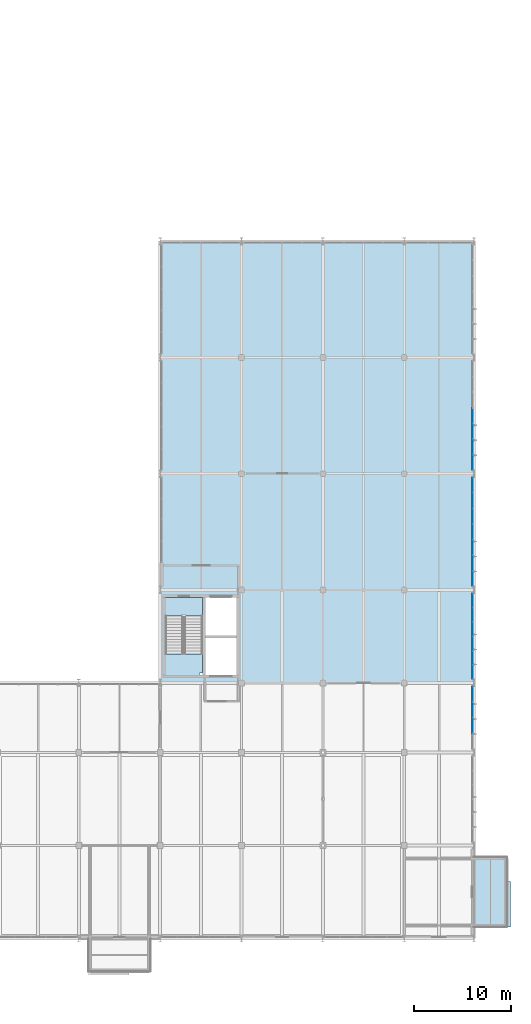
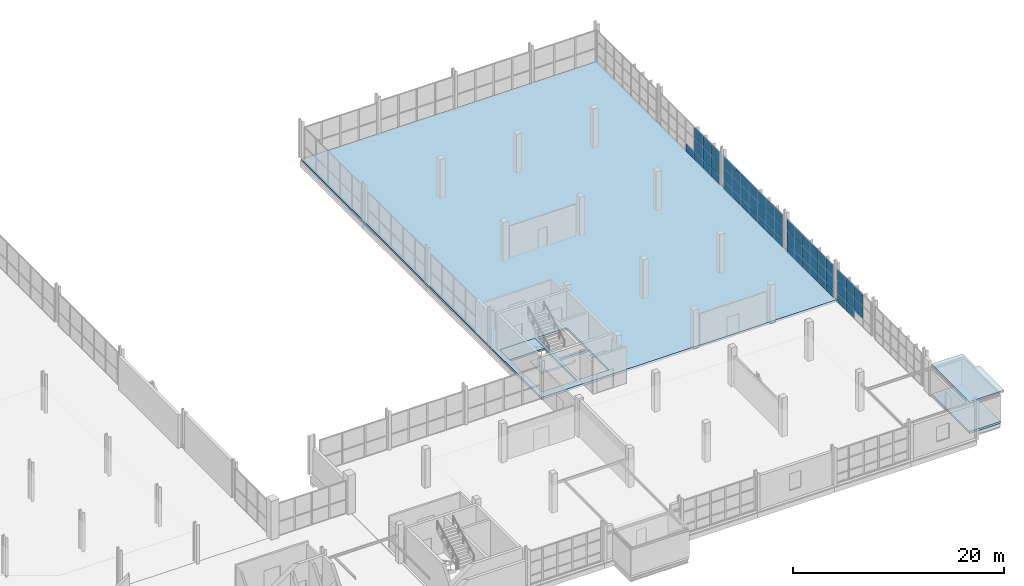
# One storey, part 92 of 113: 57 plates, 5 slabs, 5 elements without a shape of their own.
"""IFC4 building model written with IfcOpenShell, lengths in metres."""

from ifc_helpers import new_model, si_unit, direction, frame, origin, origin_2d, place, context, subcontext, project, spatial, polyline, rectangle, outline, extrude, material, layer, layer_set, type_object, element, aggregate, save


model = new_model("IFC4")

# Units and contexts
model_context = context("Model", 3, precision=1e-05, world=origin(), true_north=direction((0.0, 1.0)))
body_context = subcontext(model_context, "Body", "Model", "MODEL_VIEW")
ifc_project = project(units=[si_unit("LENGTHUNIT", "METRE"), si_unit("AREAUNIT", "SQUARE_METRE"), si_unit("VOLUMEUNIT", "CUBIC_METRE"), si_unit("PLANEANGLEUNIT", "RADIAN"), si_unit("MASSUNIT", "GRAM", prefix="KILO")], contexts=[model_context])

# Site, building, storey
site_placement = place(None, origin())
site = spatial("IfcSite", under=ifc_project, at=site_placement, CompositionType="ELEMENT")
building_placement = place(site_placement, origin())
building = spatial("IfcBuilding", under=site, at=building_placement, Name="Veltarok Museum of Natural Sciences", CompositionType="ELEMENT")
storey_placement = place(building_placement, frame((0.0, 0.0, 8.39990234375)))
storey = spatial("IfcBuildingStorey", under=building, at=storey_placement, Name="L01", CompositionType="ELEMENT", Elevation=8.39990234375)

# Slabs
ifc_material_1 = material(Name="Concrete C35/45", Category="concrete")
ifc_layer_1 = layer(ifc_material_1, 0.199951171875)
ifc_layer_set_1 = layer_set([ifc_layer_1], Name="Concrete C35/45")
slab_type_1 = type_object("IfcSlabType", Name="Cantilevered Cabinet Box Roof Slab 200", PredefinedType="ROOF", material=ifc_layer_set_1)
slab_1_placement = place(storey_placement, frame((0.0, 0.0, 3.25)))
element("IfcSlab", 1, at=slab_1_placement, inside=storey, type_object=slab_type_1, Name="Cabinet Box Roof Slab DB-30", PredefinedType="ROOF", context=body_context, shape_type="SweptSolid", body=[
    extrude(outline(polyline([(164.800048828125, 1.199951171875), (168.580078125, 1.199951171875), (168.580078125, 5.8798828125), (168.199951171875, 5.8798828125), (168.199951171875, 8.39990234375), (164.800048828125, 8.39990234375), (164.800048828125, 1.199951171875)])), origin(), (0.0, 0.0, 1.0), 0.2001953125),
])
ifc_layer_2 = layer(ifc_material_1, 0.199951171875)
ifc_layer_set_2 = layer_set([ifc_layer_2], Name="Concrete C35/45")
slab_type_2 = type_object("IfcSlabType", Name="Protected Stair Intermediate Landing Slab 200", PredefinedType="LANDING", material=ifc_layer_set_2)
slab_2_placement = place(storey_placement, frame((0.0, 0.0, -0.199951171875)))
element("IfcSlab", 2, at=slab_2_placement, inside=storey, type_object=slab_type_2, Name="Stairwell Floor Landing ST-05 L01", PredefinedType="LANDING", context=body_context, shape_type="SweptSolid", body=[
    extrude(outline(polyline([(132.909912109375, 33.300048828125), (136.7900390625, 33.300048828125), (136.7900390625, 35.219970703125), (132.909912109375, 35.219970703125), (132.909912109375, 33.300048828125)])), origin(), (0.0, 0.0, 1.0), 0.199951171875),
])

# Stair, slab
ifc_material_2 = material(Name="Precast concrete C40/50", Category="concrete")
stair_type = type_object("IfcStairType", Name="Protected Half-Turn Escape Stair H4500", PredefinedType="HALF_TURN_STAIR", material=ifc_material_2)
stair_placement = place(storey_placement, origin())
stair = element("IfcStair", 3, at=stair_placement, inside=storey, type_object=stair_type, Name="Protected Escape Stair ST-05-L01", PredefinedType="HALF_TURN_STAIR")
slab_3_placement = place(storey_placement, frame((0.0, 0.0, 2.050048828125)))
slab_3 = element("IfcSlab", 4, at=slab_3_placement, type_object=slab_type_2, Name="ST-05-L01 landing 1", PredefinedType="LANDING", context=body_context, shape_type="SweptSolid", body=[
    extrude(outline(polyline([(132.909912109375, 27.179931640625), (136.469970703125, 27.179931640625), (136.469970703125, 27.419921875), (136.7900390625, 27.419921875), (136.7900390625, 29.39990234375), (132.909912109375, 29.39990234375), (132.909912109375, 27.179931640625)])), origin(), (0.0, 0.0, 1.0), 0.199951171875),
])
aggregate(stair, [slab_3])

# Slabs
ifc_layer_3 = layer(ifc_material_1, 0.25)
ifc_layer_set_3 = layer_set([ifc_layer_3], Name="Concrete C35/45")
slab_type_3 = type_object("IfcSlabType", Name="Suspended Museum Floor Slab 250", PredefinedType="FLOOR", material=ifc_layer_set_3)
slab_4_placement = place(storey_placement, frame((0.0, 0.0, -0.25)))
element("IfcSlab", 5, at=slab_4_placement, inside=storey, type_object=slab_type_3, Name="Floor Slab L01 V5E", PredefinedType="FLOOR", context=body_context, shape_type="SweptSolid", body=[
    extrude(outline(polyline([(132.39990234375, 26.39990234375), (132.39990234375, 72.0), (164.800048828125, 72.0), (164.800048828125, 26.39990234375), (132.39990234375, 26.39990234375)]), holes=[polyline([(140.27001953125, 31.050048828125), (137.070068359375, 31.050048828125), (137.070068359375, 27.199951171875), (140.27001953125, 27.199951171875), (140.27001953125, 31.050048828125)]), polyline([(136.77001953125, 35.199951171875), (132.929931640625, 35.199951171875), (132.929931640625, 27.199951171875), (136.77001953125, 27.199951171875), (136.77001953125, 35.199951171875)]), polyline([(140.27001953125, 35.199951171875), (137.070068359375, 35.199951171875), (137.070068359375, 31.300048828125), (140.27001953125, 31.300048828125), (140.27001953125, 35.199951171875)])]), origin(), (0.0, 0.0, 1.0), 0.25),
])
slab_5_placement = place(storey_placement, frame((0.0, 0.0, -0.25)))
element("IfcSlab", 6, at=slab_5_placement, inside=storey, type_object=slab_type_3, Name="Cabinet Box Floor Slab DB-30", PredefinedType="FLOOR", context=body_context, shape_type="SweptSolid", body=[
    extrude(outline(polyline([(164.800048828125, 1.199951171875), (168.199951171875, 1.199951171875), (168.199951171875, 8.39990234375), (164.800048828125, 8.39990234375), (164.800048828125, 1.199951171875)])), origin(), (0.0, 0.0, 1.0), 0.25),
])

# Curtain wall, plates
ifc_material_3 = material(Name="Low-iron triple insulated glass", Category="glass")
curtain_wall_type_1 = type_object("IfcCurtainWallType", Name="Curtain Wall System CW-V5E-L01-C-650x388 (V5 East Lab L01 C-D 650x388cm)", PredefinedType="NOTDEFINED", material=ifc_material_3)
curtain_wall_1_placement = place(storey_placement, origin())
curtain_wall_1 = element("IfcCurtainWall", 7, at=curtain_wall_1_placement, inside=storey, type_object=curtain_wall_type_1, Name="Curtain Wall CW-V5E-L01-C-650x388 CW-0104", PredefinedType="NOTDEFINED")
ifc_layer_4 = layer(ifc_material_3, 0.028076171875)
ifc_layer_set_4 = layer_set([ifc_layer_4], Name="Low-iron triple insulated glass")
plate_type = type_object("IfcPlateType", Name="Triple Low-Iron Glazed Vision Panel 28", PredefinedType="CURTAIN_PANEL", material=ifc_layer_set_4)
plate_1_placement = place(storey_placement, frame((164.64990234375, 21.987548828125, 1.030029296875), z_axis=(0.0, 0.0, 1.0), x_axis=(0.0, 1.0, 0.0)))
plate_1 = element("IfcPlate", 8, at=plate_1_placement, type_object=plate_type, Name="CW-V5E-L01-C-650x388 panel 2.2", PredefinedType="CURTAIN_PANEL", context=body_context, shape_type="SweptSolid", body=[
    extrude(rectangle(XDim=1.56494140625, YDim=0.028076171875, at=origin_2d()), origin(), (0.0, 0.0, 1.0), 1.43994140625),
])
plate_2_placement = place(storey_placement, frame((164.64990234375, 21.987548828125, 2.530029296875), z_axis=(0.0, 0.0, 1.0), x_axis=(0.0, 1.0, 0.0)))
plate_2 = element("IfcPlate", 9, at=plate_2_placement, type_object=plate_type, Name="CW-V5E-L01-C-650x388 panel 2.3", PredefinedType="CURTAIN_PANEL", context=body_context, shape_type="SweptSolid", body=[
    extrude(rectangle(XDim=1.56494140625, YDim=0.028076171875, at=origin_2d()), origin(), (0.0, 0.0, 1.0), 1.2900390625),
])
plate_3_placement = place(storey_placement, frame((164.64990234375, 23.612548828125, 0.06005859375), z_axis=(0.0, 0.0, 1.0), x_axis=(0.0, 1.0, 0.0)))
plate_3 = element("IfcPlate", 10, at=plate_3_placement, type_object=plate_type, Name="CW-V5E-L01-C-650x388 panel 3.1", PredefinedType="CURTAIN_PANEL", context=body_context, shape_type="SweptSolid", body=[
    extrude(rectangle(XDim=1.56494140625, YDim=0.028076171875, at=origin_2d()), origin(), (0.0, 0.0, 1.0), 0.909912109375),
])
plate_4_placement = place(storey_placement, frame((164.64990234375, 23.612548828125, 1.030029296875), z_axis=(0.0, 0.0, 1.0), x_axis=(0.0, 1.0, 0.0)))
plate_4 = element("IfcPlate", 11, at=plate_4_placement, type_object=plate_type, Name="CW-V5E-L01-C-650x388 panel 3.2", PredefinedType="CURTAIN_PANEL", context=body_context, shape_type="SweptSolid", body=[
    extrude(rectangle(XDim=1.56494140625, YDim=0.028076171875, at=origin_2d()), origin(), (0.0, 0.0, 1.0), 1.43994140625),
])
plate_5_placement = place(storey_placement, frame((164.64990234375, 23.612548828125, 2.530029296875), z_axis=(0.0, 0.0, 1.0), x_axis=(0.0, 1.0, 0.0)))
plate_5 = element("IfcPlate", 12, at=plate_5_placement, type_object=plate_type, Name="CW-V5E-L01-C-650x388 panel 3.3", PredefinedType="CURTAIN_PANEL", context=body_context, shape_type="SweptSolid", body=[
    extrude(rectangle(XDim=1.56494140625, YDim=0.028076171875, at=origin_2d()), origin(), (0.0, 0.0, 1.0), 1.2900390625),
])
plate_6_placement = place(storey_placement, frame((164.64990234375, 25.222412109375, 0.06005859375), z_axis=(0.0, 0.0, 1.0), x_axis=(0.0, 1.0, 0.0)))
plate_6 = element("IfcPlate", 13, at=plate_6_placement, type_object=plate_type, Name="CW-V5E-L01-C-650x388 panel 4.1", PredefinedType="CURTAIN_PANEL", context=body_context, shape_type="SweptSolid", body=[
    extrude(rectangle(XDim=1.534912109375, YDim=0.028076171875, at=origin_2d()), origin(), (0.0, 0.0, 1.0), 0.909912109375),
])
plate_7_placement = place(storey_placement, frame((164.64990234375, 25.222412109375, 1.030029296875), z_axis=(0.0, 0.0, 1.0), x_axis=(0.0, 1.0, 0.0)))
plate_7 = element("IfcPlate", 14, at=plate_7_placement, type_object=plate_type, Name="CW-V5E-L01-C-650x388 panel 4.2", PredefinedType="CURTAIN_PANEL", context=body_context, shape_type="SweptSolid", body=[
    extrude(rectangle(XDim=1.534912109375, YDim=0.028076171875, at=origin_2d()), origin(), (0.0, 0.0, 1.0), 1.43994140625),
])
plate_8_placement = place(storey_placement, frame((164.64990234375, 25.222412109375, 2.530029296875), z_axis=(0.0, 0.0, 1.0), x_axis=(0.0, 1.0, 0.0)))
plate_8 = element("IfcPlate", 15, at=plate_8_placement, type_object=plate_type, Name="CW-V5E-L01-C-650x388 panel 4.3", PredefinedType="CURTAIN_PANEL", context=body_context, shape_type="SweptSolid", body=[
    extrude(rectangle(XDim=1.534912109375, YDim=0.028076171875, at=origin_2d()), origin(), (0.0, 0.0, 1.0), 1.2900390625),
])
aggregate(curtain_wall_1, [plate_1, plate_2, plate_3, plate_4, plate_5, plate_6, plate_7, plate_8])

curtain_wall_type_2 = type_object("IfcCurtainWallType", Name="Curtain Wall System CW-V5E-L01-D-890x388 (V5 East Lab L01 D-E 890x388cm)", PredefinedType="NOTDEFINED", material=ifc_material_3)
curtain_wall_2_placement = place(storey_placement, origin())
curtain_wall_2 = element("IfcCurtainWall", 16, at=curtain_wall_2_placement, inside=storey, type_object=curtain_wall_type_2, Name="Curtain Wall CW-V5E-L01-D-890x388 CW-0105", PredefinedType="NOTDEFINED")
plate_9_placement = place(storey_placement, frame((164.64990234375, 27.506591796875, 0.06005859375), z_axis=(0.0, 0.0, 1.0), x_axis=(0.0, 1.0, 0.0)))
plate_9 = element("IfcPlate", 17, at=plate_9_placement, type_object=plate_type, Name="CW-V5E-L01-D-890x388 panel 1.1", PredefinedType="CURTAIN_PANEL", context=body_context, shape_type="SweptSolid", body=[
    extrude(rectangle(XDim=1.393310546875, YDim=0.028076171875, at=origin_2d()), origin(), (0.0, 0.0, 1.0), 0.909912109375),
])
plate_10_placement = place(storey_placement, frame((164.64990234375, 27.506591796875, 1.030029296875), z_axis=(0.0, 0.0, 1.0), x_axis=(0.0, 1.0, 0.0)))
plate_10 = element("IfcPlate", 18, at=plate_10_placement, type_object=plate_type, Name="CW-V5E-L01-D-890x388 panel 1.2", PredefinedType="CURTAIN_PANEL", context=body_context, shape_type="SweptSolid", body=[
    extrude(rectangle(XDim=1.393310546875, YDim=0.028076171875, at=origin_2d()), origin(), (0.0, 0.0, 1.0), 1.43994140625),
])
plate_11_placement = place(storey_placement, frame((164.64990234375, 27.506591796875, 2.530029296875), z_axis=(0.0, 0.0, 1.0), x_axis=(0.0, 1.0, 0.0)))
plate_11 = element("IfcPlate", 19, at=plate_11_placement, type_object=plate_type, Name="CW-V5E-L01-D-890x388 panel 1.3", PredefinedType="CURTAIN_PANEL", context=body_context, shape_type="SweptSolid", body=[
    extrude(rectangle(XDim=1.393310546875, YDim=0.028076171875, at=origin_2d()), origin(), (0.0, 0.0, 1.0), 1.2900390625),
])
plate_12_placement = place(storey_placement, frame((164.64990234375, 28.97509765625, 0.06005859375), z_axis=(0.0, 0.0, 1.0), x_axis=(0.0, 1.0, 0.0)))
plate_12 = element("IfcPlate", 20, at=plate_12_placement, type_object=plate_type, Name="CW-V5E-L01-D-890x388 panel 2.1", PredefinedType="CURTAIN_PANEL", context=body_context, shape_type="SweptSolid", body=[
    extrude(rectangle(XDim=1.42333984375, YDim=0.028076171875, at=origin_2d()), origin(), (0.0, 0.0, 1.0), 0.909912109375),
])
plate_13_placement = place(storey_placement, frame((164.64990234375, 28.97509765625, 1.030029296875), z_axis=(0.0, 0.0, 1.0), x_axis=(0.0, 1.0, 0.0)))
plate_13 = element("IfcPlate", 21, at=plate_13_placement, type_object=plate_type, Name="CW-V5E-L01-D-890x388 panel 2.2", PredefinedType="CURTAIN_PANEL", context=body_context, shape_type="SweptSolid", body=[
    extrude(rectangle(XDim=1.42333984375, YDim=0.028076171875, at=origin_2d()), origin(), (0.0, 0.0, 1.0), 1.43994140625),
])
plate_14_placement = place(storey_placement, frame((164.64990234375, 28.97509765625, 2.530029296875), z_axis=(0.0, 0.0, 1.0), x_axis=(0.0, 1.0, 0.0)))
plate_14 = element("IfcPlate", 22, at=plate_14_placement, type_object=plate_type, Name="CW-V5E-L01-D-890x388 panel 2.3", PredefinedType="CURTAIN_PANEL", context=body_context, shape_type="SweptSolid", body=[
    extrude(rectangle(XDim=1.42333984375, YDim=0.028076171875, at=origin_2d()), origin(), (0.0, 0.0, 1.0), 1.2900390625),
])
plate_15_placement = place(storey_placement, frame((164.64990234375, 30.458251953125, 0.06005859375), z_axis=(0.0, 0.0, 1.0), x_axis=(0.0, 1.0, 0.0)))
plate_15 = element("IfcPlate", 23, at=plate_15_placement, type_object=plate_type, Name="CW-V5E-L01-D-890x388 panel 3.1", PredefinedType="CURTAIN_PANEL", context=body_context, shape_type="SweptSolid", body=[
    extrude(rectangle(XDim=1.42333984375, YDim=0.028076171875, at=origin_2d()), origin(), (0.0, 0.0, 1.0), 0.909912109375),
])
plate_16_placement = place(storey_placement, frame((164.64990234375, 30.458251953125, 1.030029296875), z_axis=(0.0, 0.0, 1.0), x_axis=(0.0, 1.0, 0.0)))
plate_16 = element("IfcPlate", 24, at=plate_16_placement, type_object=plate_type, Name="CW-V5E-L01-D-890x388 panel 3.2", PredefinedType="CURTAIN_PANEL", context=body_context, shape_type="SweptSolid", body=[
    extrude(rectangle(XDim=1.42333984375, YDim=0.028076171875, at=origin_2d()), origin(), (0.0, 0.0, 1.0), 1.43994140625),
])
plate_17_placement = place(storey_placement, frame((164.64990234375, 30.458251953125, 2.530029296875), z_axis=(0.0, 0.0, 1.0), x_axis=(0.0, 1.0, 0.0)))
plate_17 = element("IfcPlate", 25, at=plate_17_placement, type_object=plate_type, Name="CW-V5E-L01-D-890x388 panel 3.3", PredefinedType="CURTAIN_PANEL", context=body_context, shape_type="SweptSolid", body=[
    extrude(rectangle(XDim=1.42333984375, YDim=0.028076171875, at=origin_2d()), origin(), (0.0, 0.0, 1.0), 1.2900390625),
])
plate_18_placement = place(storey_placement, frame((164.64990234375, 31.941650390625, 0.06005859375), z_axis=(0.0, 0.0, 1.0), x_axis=(0.0, 1.0, 0.0)))
plate_18 = element("IfcPlate", 26, at=plate_18_placement, type_object=plate_type, Name="CW-V5E-L01-D-890x388 panel 4.1", PredefinedType="CURTAIN_PANEL", context=body_context, shape_type="SweptSolid", body=[
    extrude(rectangle(XDim=1.42333984375, YDim=0.028076171875, at=origin_2d()), origin(), (0.0, 0.0, 1.0), 0.909912109375),
])
plate_19_placement = place(storey_placement, frame((164.64990234375, 31.941650390625, 1.030029296875), z_axis=(0.0, 0.0, 1.0), x_axis=(0.0, 1.0, 0.0)))
plate_19 = element("IfcPlate", 27, at=plate_19_placement, type_object=plate_type, Name="CW-V5E-L01-D-890x388 panel 4.2", PredefinedType="CURTAIN_PANEL", context=body_context, shape_type="SweptSolid", body=[
    extrude(rectangle(XDim=1.42333984375, YDim=0.028076171875, at=origin_2d()), origin(), (0.0, 0.0, 1.0), 1.43994140625),
])
plate_20_placement = place(storey_placement, frame((164.64990234375, 31.941650390625, 2.530029296875), z_axis=(0.0, 0.0, 1.0), x_axis=(0.0, 1.0, 0.0)))
plate_20 = element("IfcPlate", 28, at=plate_20_placement, type_object=plate_type, Name="CW-V5E-L01-D-890x388 panel 4.3", PredefinedType="CURTAIN_PANEL", context=body_context, shape_type="SweptSolid", body=[
    extrude(rectangle(XDim=1.42333984375, YDim=0.028076171875, at=origin_2d()), origin(), (0.0, 0.0, 1.0), 1.2900390625),
])
plate_21_placement = place(storey_placement, frame((164.64990234375, 33.425048828125, 0.06005859375), z_axis=(0.0, 0.0, 1.0), x_axis=(0.0, 1.0, 0.0)))
plate_21 = element("IfcPlate", 29, at=plate_21_placement, type_object=plate_type, Name="CW-V5E-L01-D-890x388 panel 5.1", PredefinedType="CURTAIN_PANEL", context=body_context, shape_type="SweptSolid", body=[
    extrude(rectangle(XDim=1.42333984375, YDim=0.028076171875, at=origin_2d()), origin(), (0.0, 0.0, 1.0), 0.909912109375),
])
plate_22_placement = place(storey_placement, frame((164.64990234375, 33.425048828125, 1.030029296875), z_axis=(0.0, 0.0, 1.0), x_axis=(0.0, 1.0, 0.0)))
plate_22 = element("IfcPlate", 30, at=plate_22_placement, type_object=plate_type, Name="CW-V5E-L01-D-890x388 panel 5.2", PredefinedType="CURTAIN_PANEL", context=body_context, shape_type="SweptSolid", body=[
    extrude(rectangle(XDim=1.42333984375, YDim=0.028076171875, at=origin_2d()), origin(), (0.0, 0.0, 1.0), 1.43994140625),
])
plate_23_placement = place(storey_placement, frame((164.64990234375, 33.425048828125, 2.530029296875), z_axis=(0.0, 0.0, 1.0), x_axis=(0.0, 1.0, 0.0)))
plate_23 = element("IfcPlate", 31, at=plate_23_placement, type_object=plate_type, Name="CW-V5E-L01-D-890x388 panel 5.3", PredefinedType="CURTAIN_PANEL", context=body_context, shape_type="SweptSolid", body=[
    extrude(rectangle(XDim=1.42333984375, YDim=0.028076171875, at=origin_2d()), origin(), (0.0, 0.0, 1.0), 1.2900390625),
])
plate_24_placement = place(storey_placement, frame((164.64990234375, 34.893310546875, 0.06005859375), z_axis=(0.0, 0.0, 1.0), x_axis=(0.0, 1.0, 0.0)))
plate_24 = element("IfcPlate", 32, at=plate_24_placement, type_object=plate_type, Name="CW-V5E-L01-D-890x388 panel 6.1", PredefinedType="CURTAIN_PANEL", context=body_context, shape_type="SweptSolid", body=[
    extrude(rectangle(XDim=1.393310546875, YDim=0.028076171875, at=origin_2d()), origin(), (0.0, 0.0, 1.0), 0.909912109375),
])
plate_25_placement = place(storey_placement, frame((164.64990234375, 34.893310546875, 1.030029296875), z_axis=(0.0, 0.0, 1.0), x_axis=(0.0, 1.0, 0.0)))
plate_25 = element("IfcPlate", 33, at=plate_25_placement, type_object=plate_type, Name="CW-V5E-L01-D-890x388 panel 6.2", PredefinedType="CURTAIN_PANEL", context=body_context, shape_type="SweptSolid", body=[
    extrude(rectangle(XDim=1.393310546875, YDim=0.028076171875, at=origin_2d()), origin(), (0.0, 0.0, 1.0), 1.43994140625),
])
plate_26_placement = place(storey_placement, frame((164.64990234375, 34.893310546875, 2.530029296875), z_axis=(0.0, 0.0, 1.0), x_axis=(0.0, 1.0, 0.0)))
plate_26 = element("IfcPlate", 34, at=plate_26_placement, type_object=plate_type, Name="CW-V5E-L01-D-890x388 panel 6.3", PredefinedType="CURTAIN_PANEL", context=body_context, shape_type="SweptSolid", body=[
    extrude(rectangle(XDim=1.393310546875, YDim=0.028076171875, at=origin_2d()), origin(), (0.0, 0.0, 1.0), 1.2900390625),
])
aggregate(curtain_wall_2, [plate_9, plate_10, plate_11, plate_12, plate_13, plate_14, plate_15, plate_16, plate_17, plate_18, plate_19, plate_20, plate_21, plate_22, plate_23, plate_24, plate_25, plate_26])

curtain_wall_type_3 = type_object("IfcCurtainWallType", Name="Curtain Wall System CW-V5E-L01-E-1130x388 (V5 East Lab L01 E-F 1130x388cm)", PredefinedType="NOTDEFINED", material=ifc_material_3)
curtain_wall_3_placement = place(storey_placement, origin())
curtain_wall_3 = element("IfcCurtainWall", 35, at=curtain_wall_3_placement, inside=storey, type_object=curtain_wall_type_3, Name="Curtain Wall CW-V5E-L01-E-1130x388 CW-0106", PredefinedType="NOTDEFINED")
plate_27_placement = place(storey_placement, frame((164.64990234375, 37.172119140625, 0.06005859375), z_axis=(0.0, 0.0, 1.0), x_axis=(0.0, 1.0, 0.0)))
plate_27 = element("IfcPlate", 36, at=plate_27_placement, type_object=plate_type, Name="CW-V5E-L01-E-1130x388 panel 1.1", PredefinedType="CURTAIN_PANEL", context=body_context, shape_type="SweptSolid", body=[
    extrude(rectangle(XDim=1.524169921875, YDim=0.028076171875, at=origin_2d()), origin(), (0.0, 0.0, 1.0), 0.909912109375),
])
plate_28_placement = place(storey_placement, frame((164.64990234375, 37.172119140625, 1.030029296875), z_axis=(0.0, 0.0, 1.0), x_axis=(0.0, 1.0, 0.0)))
plate_28 = element("IfcPlate", 37, at=plate_28_placement, type_object=plate_type, Name="CW-V5E-L01-E-1130x388 panel 1.2", PredefinedType="CURTAIN_PANEL", context=body_context, shape_type="SweptSolid", body=[
    extrude(rectangle(XDim=1.524169921875, YDim=0.028076171875, at=origin_2d()), origin(), (0.0, 0.0, 1.0), 1.43994140625),
])
plate_29_placement = place(storey_placement, frame((164.64990234375, 37.172119140625, 2.530029296875), z_axis=(0.0, 0.0, 1.0), x_axis=(0.0, 1.0, 0.0)))
plate_29 = element("IfcPlate", 38, at=plate_29_placement, type_object=plate_type, Name="CW-V5E-L01-E-1130x388 panel 1.3", PredefinedType="CURTAIN_PANEL", context=body_context, shape_type="SweptSolid", body=[
    extrude(rectangle(XDim=1.524169921875, YDim=0.028076171875, at=origin_2d()), origin(), (0.0, 0.0, 1.0), 1.2900390625),
])
plate_30_placement = place(storey_placement, frame((164.64990234375, 38.771484375, 0.06005859375), z_axis=(0.0, 0.0, 1.0), x_axis=(0.0, 1.0, 0.0)))
plate_30 = element("IfcPlate", 39, at=plate_30_placement, type_object=plate_type, Name="CW-V5E-L01-E-1130x388 panel 2.1", PredefinedType="CURTAIN_PANEL", context=body_context, shape_type="SweptSolid", body=[
    extrude(rectangle(XDim=1.55419921875, YDim=0.028076171875, at=origin_2d()), origin(), (0.0, 0.0, 1.0), 0.909912109375),
])
plate_31_placement = place(storey_placement, frame((164.64990234375, 38.771484375, 1.030029296875), z_axis=(0.0, 0.0, 1.0), x_axis=(0.0, 1.0, 0.0)))
plate_31 = element("IfcPlate", 40, at=plate_31_placement, type_object=plate_type, Name="CW-V5E-L01-E-1130x388 panel 2.2", PredefinedType="CURTAIN_PANEL", context=body_context, shape_type="SweptSolid", body=[
    extrude(rectangle(XDim=1.55419921875, YDim=0.028076171875, at=origin_2d()), origin(), (0.0, 0.0, 1.0), 1.43994140625),
])
plate_32_placement = place(storey_placement, frame((164.64990234375, 38.771484375, 2.530029296875), z_axis=(0.0, 0.0, 1.0), x_axis=(0.0, 1.0, 0.0)))
plate_32 = element("IfcPlate", 41, at=plate_32_placement, type_object=plate_type, Name="CW-V5E-L01-E-1130x388 panel 2.3", PredefinedType="CURTAIN_PANEL", context=body_context, shape_type="SweptSolid", body=[
    extrude(rectangle(XDim=1.55419921875, YDim=0.028076171875, at=origin_2d()), origin(), (0.0, 0.0, 1.0), 1.2900390625),
])
plate_33_placement = place(storey_placement, frame((164.64990234375, 40.3857421875, 0.06005859375), z_axis=(0.0, 0.0, 1.0), x_axis=(0.0, 1.0, 0.0)))
plate_33 = element("IfcPlate", 42, at=plate_33_placement, type_object=plate_type, Name="CW-V5E-L01-E-1130x388 panel 3.1", PredefinedType="CURTAIN_PANEL", context=body_context, shape_type="SweptSolid", body=[
    extrude(rectangle(XDim=1.55419921875, YDim=0.028076171875, at=origin_2d()), origin(), (0.0, 0.0, 1.0), 0.909912109375),
])
plate_34_placement = place(storey_placement, frame((164.64990234375, 40.3857421875, 1.030029296875), z_axis=(0.0, 0.0, 1.0), x_axis=(0.0, 1.0, 0.0)))
plate_34 = element("IfcPlate", 43, at=plate_34_placement, type_object=plate_type, Name="CW-V5E-L01-E-1130x388 panel 3.2", PredefinedType="CURTAIN_PANEL", context=body_context, shape_type="SweptSolid", body=[
    extrude(rectangle(XDim=1.55419921875, YDim=0.028076171875, at=origin_2d()), origin(), (0.0, 0.0, 1.0), 1.43994140625),
])
plate_35_placement = place(storey_placement, frame((164.64990234375, 40.3857421875, 2.530029296875), z_axis=(0.0, 0.0, 1.0), x_axis=(0.0, 1.0, 0.0)))
plate_35 = element("IfcPlate", 44, at=plate_35_placement, type_object=plate_type, Name="CW-V5E-L01-E-1130x388 panel 3.3", PredefinedType="CURTAIN_PANEL", context=body_context, shape_type="SweptSolid", body=[
    extrude(rectangle(XDim=1.55419921875, YDim=0.028076171875, at=origin_2d()), origin(), (0.0, 0.0, 1.0), 1.2900390625),
])
plate_36_placement = place(storey_placement, frame((164.64990234375, 42.0, 0.06005859375), z_axis=(0.0, 0.0, 1.0), x_axis=(0.0, 1.0, 0.0)))
plate_36 = element("IfcPlate", 45, at=plate_36_placement, type_object=plate_type, Name="CW-V5E-L01-E-1130x388 panel 4.1", PredefinedType="CURTAIN_PANEL", context=body_context, shape_type="SweptSolid", body=[
    extrude(rectangle(XDim=1.55419921875, YDim=0.028076171875, at=origin_2d()), origin(), (0.0, 0.0, 1.0), 0.909912109375),
])
plate_37_placement = place(storey_placement, frame((164.64990234375, 42.0, 1.030029296875), z_axis=(0.0, 0.0, 1.0), x_axis=(0.0, 1.0, 0.0)))
plate_37 = element("IfcPlate", 46, at=plate_37_placement, type_object=plate_type, Name="CW-V5E-L01-E-1130x388 panel 4.2", PredefinedType="CURTAIN_PANEL", context=body_context, shape_type="SweptSolid", body=[
    extrude(rectangle(XDim=1.55419921875, YDim=0.028076171875, at=origin_2d()), origin(), (0.0, 0.0, 1.0), 1.43994140625),
])
plate_38_placement = place(storey_placement, frame((164.64990234375, 42.0, 2.530029296875), z_axis=(0.0, 0.0, 1.0), x_axis=(0.0, 1.0, 0.0)))
plate_38 = element("IfcPlate", 47, at=plate_38_placement, type_object=plate_type, Name="CW-V5E-L01-E-1130x388 panel 4.3", PredefinedType="CURTAIN_PANEL", context=body_context, shape_type="SweptSolid", body=[
    extrude(rectangle(XDim=1.55419921875, YDim=0.028076171875, at=origin_2d()), origin(), (0.0, 0.0, 1.0), 1.2900390625),
])
plate_39_placement = place(storey_placement, frame((164.64990234375, 43.6142578125, 0.06005859375), z_axis=(0.0, 0.0, 1.0), x_axis=(0.0, 1.0, 0.0)))
plate_39 = element("IfcPlate", 48, at=plate_39_placement, type_object=plate_type, Name="CW-V5E-L01-E-1130x388 panel 5.1", PredefinedType="CURTAIN_PANEL", context=body_context, shape_type="SweptSolid", body=[
    extrude(rectangle(XDim=1.55419921875, YDim=0.028076171875, at=origin_2d()), origin(), (0.0, 0.0, 1.0), 0.909912109375),
])
plate_40_placement = place(storey_placement, frame((164.64990234375, 43.6142578125, 1.030029296875), z_axis=(0.0, 0.0, 1.0), x_axis=(0.0, 1.0, 0.0)))
plate_40 = element("IfcPlate", 49, at=plate_40_placement, type_object=plate_type, Name="CW-V5E-L01-E-1130x388 panel 5.2", PredefinedType="CURTAIN_PANEL", context=body_context, shape_type="SweptSolid", body=[
    extrude(rectangle(XDim=1.55419921875, YDim=0.028076171875, at=origin_2d()), origin(), (0.0, 0.0, 1.0), 1.43994140625),
])
plate_41_placement = place(storey_placement, frame((164.64990234375, 43.6142578125, 2.530029296875), z_axis=(0.0, 0.0, 1.0), x_axis=(0.0, 1.0, 0.0)))
plate_41 = element("IfcPlate", 50, at=plate_41_placement, type_object=plate_type, Name="CW-V5E-L01-E-1130x388 panel 5.3", PredefinedType="CURTAIN_PANEL", context=body_context, shape_type="SweptSolid", body=[
    extrude(rectangle(XDim=1.55419921875, YDim=0.028076171875, at=origin_2d()), origin(), (0.0, 0.0, 1.0), 1.2900390625),
])
plate_42_placement = place(storey_placement, frame((164.64990234375, 45.228515625, 0.06005859375), z_axis=(0.0, 0.0, 1.0), x_axis=(0.0, 1.0, 0.0)))
plate_42 = element("IfcPlate", 51, at=plate_42_placement, type_object=plate_type, Name="CW-V5E-L01-E-1130x388 panel 6.1", PredefinedType="CURTAIN_PANEL", context=body_context, shape_type="SweptSolid", body=[
    extrude(rectangle(XDim=1.55419921875, YDim=0.028076171875, at=origin_2d()), origin(), (0.0, 0.0, 1.0), 0.909912109375),
])
plate_43_placement = place(storey_placement, frame((164.64990234375, 45.228515625, 1.030029296875), z_axis=(0.0, 0.0, 1.0), x_axis=(0.0, 1.0, 0.0)))
plate_43 = element("IfcPlate", 52, at=plate_43_placement, type_object=plate_type, Name="CW-V5E-L01-E-1130x388 panel 6.2", PredefinedType="CURTAIN_PANEL", context=body_context, shape_type="SweptSolid", body=[
    extrude(rectangle(XDim=1.55419921875, YDim=0.028076171875, at=origin_2d()), origin(), (0.0, 0.0, 1.0), 1.43994140625),
])
plate_44_placement = place(storey_placement, frame((164.64990234375, 45.228515625, 2.530029296875), z_axis=(0.0, 0.0, 1.0), x_axis=(0.0, 1.0, 0.0)))
plate_44 = element("IfcPlate", 53, at=plate_44_placement, type_object=plate_type, Name="CW-V5E-L01-E-1130x388 panel 6.3", PredefinedType="CURTAIN_PANEL", context=body_context, shape_type="SweptSolid", body=[
    extrude(rectangle(XDim=1.55419921875, YDim=0.028076171875, at=origin_2d()), origin(), (0.0, 0.0, 1.0), 1.2900390625),
])
plate_45_placement = place(storey_placement, frame((164.64990234375, 46.827880859375, 0.06005859375), z_axis=(0.0, 0.0, 1.0), x_axis=(0.0, 1.0, 0.0)))
plate_45 = element("IfcPlate", 54, at=plate_45_placement, type_object=plate_type, Name="CW-V5E-L01-E-1130x388 panel 7.1", PredefinedType="CURTAIN_PANEL", context=body_context, shape_type="SweptSolid", body=[
    extrude(rectangle(XDim=1.524169921875, YDim=0.028076171875, at=origin_2d()), origin(), (0.0, 0.0, 1.0), 0.909912109375),
])
plate_46_placement = place(storey_placement, frame((164.64990234375, 46.827880859375, 1.030029296875), z_axis=(0.0, 0.0, 1.0), x_axis=(0.0, 1.0, 0.0)))
plate_46 = element("IfcPlate", 55, at=plate_46_placement, type_object=plate_type, Name="CW-V5E-L01-E-1130x388 panel 7.2", PredefinedType="CURTAIN_PANEL", context=body_context, shape_type="SweptSolid", body=[
    extrude(rectangle(XDim=1.524169921875, YDim=0.028076171875, at=origin_2d()), origin(), (0.0, 0.0, 1.0), 1.43994140625),
])
plate_47_placement = place(storey_placement, frame((164.64990234375, 46.827880859375, 2.530029296875), z_axis=(0.0, 0.0, 1.0), x_axis=(0.0, 1.0, 0.0)))
plate_47 = element("IfcPlate", 56, at=plate_47_placement, type_object=plate_type, Name="CW-V5E-L01-E-1130x388 panel 7.3", PredefinedType="CURTAIN_PANEL", context=body_context, shape_type="SweptSolid", body=[
    extrude(rectangle(XDim=1.524169921875, YDim=0.028076171875, at=origin_2d()), origin(), (0.0, 0.0, 1.0), 1.2900390625),
])
aggregate(curtain_wall_3, [plate_27, plate_28, plate_29, plate_30, plate_31, plate_32, plate_33, plate_34, plate_35, plate_36, plate_37, plate_38, plate_39, plate_40, plate_41, plate_42, plate_43, plate_44, plate_45, plate_46, plate_47])

curtain_wall_type_4 = type_object("IfcCurtainWallType", Name="Curtain Wall System CW-V5E-L01-F-1130x388 (V5 East Lab L01 F-G 1130x388cm)", PredefinedType="NOTDEFINED", material=ifc_material_3)
curtain_wall_4_placement = place(storey_placement, origin())
curtain_wall_4 = element("IfcCurtainWall", 57, at=curtain_wall_4_placement, inside=storey, type_object=curtain_wall_type_4, Name="Curtain Wall CW-V5E-L01-F-1130x388 CW-0107", PredefinedType="NOTDEFINED")
plate_48_placement = place(storey_placement, frame((164.64990234375, 49.172119140625, 0.06005859375), z_axis=(0.0, 0.0, 1.0), x_axis=(0.0, 1.0, 0.0)))
plate_48 = element("IfcPlate", 58, at=plate_48_placement, type_object=plate_type, Name="CW-V5E-L01-F-1130x388 panel 1.1", PredefinedType="CURTAIN_PANEL", context=body_context, shape_type="SweptSolid", body=[
    extrude(rectangle(XDim=1.524169921875, YDim=0.028076171875, at=origin_2d()), origin(), (0.0, 0.0, 1.0), 0.909912109375),
])
plate_49_placement = place(storey_placement, frame((164.64990234375, 49.172119140625, 1.030029296875), z_axis=(0.0, 0.0, 1.0), x_axis=(0.0, 1.0, 0.0)))
plate_49 = element("IfcPlate", 59, at=plate_49_placement, type_object=plate_type, Name="CW-V5E-L01-F-1130x388 panel 1.2", PredefinedType="CURTAIN_PANEL", context=body_context, shape_type="SweptSolid", body=[
    extrude(rectangle(XDim=1.524169921875, YDim=0.028076171875, at=origin_2d()), origin(), (0.0, 0.0, 1.0), 1.43994140625),
])
plate_50_placement = place(storey_placement, frame((164.64990234375, 49.172119140625, 2.530029296875), z_axis=(0.0, 0.0, 1.0), x_axis=(0.0, 1.0, 0.0)))
plate_50 = element("IfcPlate", 60, at=plate_50_placement, type_object=plate_type, Name="CW-V5E-L01-F-1130x388 panel 1.3", PredefinedType="CURTAIN_PANEL", context=body_context, shape_type="SweptSolid", body=[
    extrude(rectangle(XDim=1.524169921875, YDim=0.028076171875, at=origin_2d()), origin(), (0.0, 0.0, 1.0), 1.2900390625),
])
plate_51_placement = place(storey_placement, frame((164.64990234375, 50.771484375, 0.06005859375), z_axis=(0.0, 0.0, 1.0), x_axis=(0.0, 1.0, 0.0)))
plate_51 = element("IfcPlate", 61, at=plate_51_placement, type_object=plate_type, Name="CW-V5E-L01-F-1130x388 panel 2.1", PredefinedType="CURTAIN_PANEL", context=body_context, shape_type="SweptSolid", body=[
    extrude(rectangle(XDim=1.55419921875, YDim=0.028076171875, at=origin_2d()), origin(), (0.0, 0.0, 1.0), 0.909912109375),
])
plate_52_placement = place(storey_placement, frame((164.64990234375, 50.771484375, 1.030029296875), z_axis=(0.0, 0.0, 1.0), x_axis=(0.0, 1.0, 0.0)))
plate_52 = element("IfcPlate", 62, at=plate_52_placement, type_object=plate_type, Name="CW-V5E-L01-F-1130x388 panel 2.2", PredefinedType="CURTAIN_PANEL", context=body_context, shape_type="SweptSolid", body=[
    extrude(rectangle(XDim=1.55419921875, YDim=0.028076171875, at=origin_2d()), origin(), (0.0, 0.0, 1.0), 1.43994140625),
])
plate_53_placement = place(storey_placement, frame((164.64990234375, 50.771484375, 2.530029296875), z_axis=(0.0, 0.0, 1.0), x_axis=(0.0, 1.0, 0.0)))
plate_53 = element("IfcPlate", 63, at=plate_53_placement, type_object=plate_type, Name="CW-V5E-L01-F-1130x388 panel 2.3", PredefinedType="CURTAIN_PANEL", context=body_context, shape_type="SweptSolid", body=[
    extrude(rectangle(XDim=1.55419921875, YDim=0.028076171875, at=origin_2d()), origin(), (0.0, 0.0, 1.0), 1.2900390625),
])
plate_54_placement = place(storey_placement, frame((164.64990234375, 52.3857421875, 0.06005859375), z_axis=(0.0, 0.0, 1.0), x_axis=(0.0, 1.0, 0.0)))
plate_54 = element("IfcPlate", 64, at=plate_54_placement, type_object=plate_type, Name="CW-V5E-L01-F-1130x388 panel 3.1", PredefinedType="CURTAIN_PANEL", context=body_context, shape_type="SweptSolid", body=[
    extrude(rectangle(XDim=1.55419921875, YDim=0.028076171875, at=origin_2d()), origin(), (0.0, 0.0, 1.0), 0.909912109375),
])
plate_55_placement = place(storey_placement, frame((164.64990234375, 52.3857421875, 1.030029296875), z_axis=(0.0, 0.0, 1.0), x_axis=(0.0, 1.0, 0.0)))
plate_55 = element("IfcPlate", 65, at=plate_55_placement, type_object=plate_type, Name="CW-V5E-L01-F-1130x388 panel 3.2", PredefinedType="CURTAIN_PANEL", context=body_context, shape_type="SweptSolid", body=[
    extrude(rectangle(XDim=1.55419921875, YDim=0.028076171875, at=origin_2d()), origin(), (0.0, 0.0, 1.0), 1.43994140625),
])
plate_56_placement = place(storey_placement, frame((164.64990234375, 52.3857421875, 2.530029296875), z_axis=(0.0, 0.0, 1.0), x_axis=(0.0, 1.0, 0.0)))
plate_56 = element("IfcPlate", 66, at=plate_56_placement, type_object=plate_type, Name="CW-V5E-L01-F-1130x388 panel 3.3", PredefinedType="CURTAIN_PANEL", context=body_context, shape_type="SweptSolid", body=[
    extrude(rectangle(XDim=1.55419921875, YDim=0.028076171875, at=origin_2d()), origin(), (0.0, 0.0, 1.0), 1.2900390625),
])
plate_57_placement = place(storey_placement, frame((164.64990234375, 54.0, 0.06005859375), z_axis=(0.0, 0.0, 1.0), x_axis=(0.0, 1.0, 0.0)))
plate_57 = element("IfcPlate", 67, at=plate_57_placement, type_object=plate_type, Name="CW-V5E-L01-F-1130x388 panel 4.1", PredefinedType="CURTAIN_PANEL", context=body_context, shape_type="SweptSolid", body=[
    extrude(rectangle(XDim=1.55419921875, YDim=0.028076171875, at=origin_2d()), origin(), (0.0, 0.0, 1.0), 0.909912109375),
])
aggregate(curtain_wall_4, [plate_48, plate_49, plate_50, plate_51, plate_52, plate_53, plate_54, plate_55, plate_56, plate_57])

save(model, "model.ifc")
